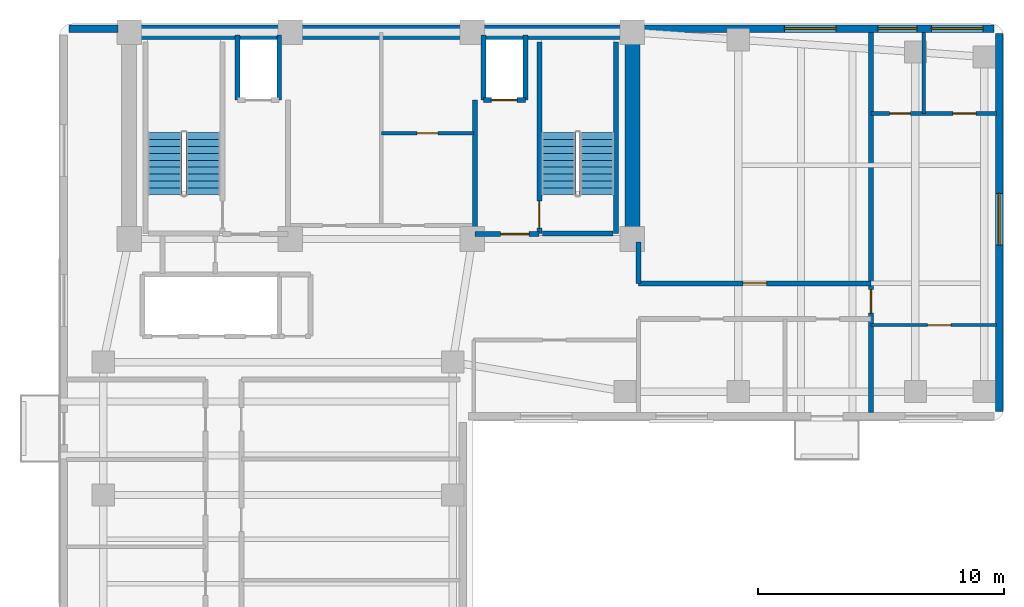
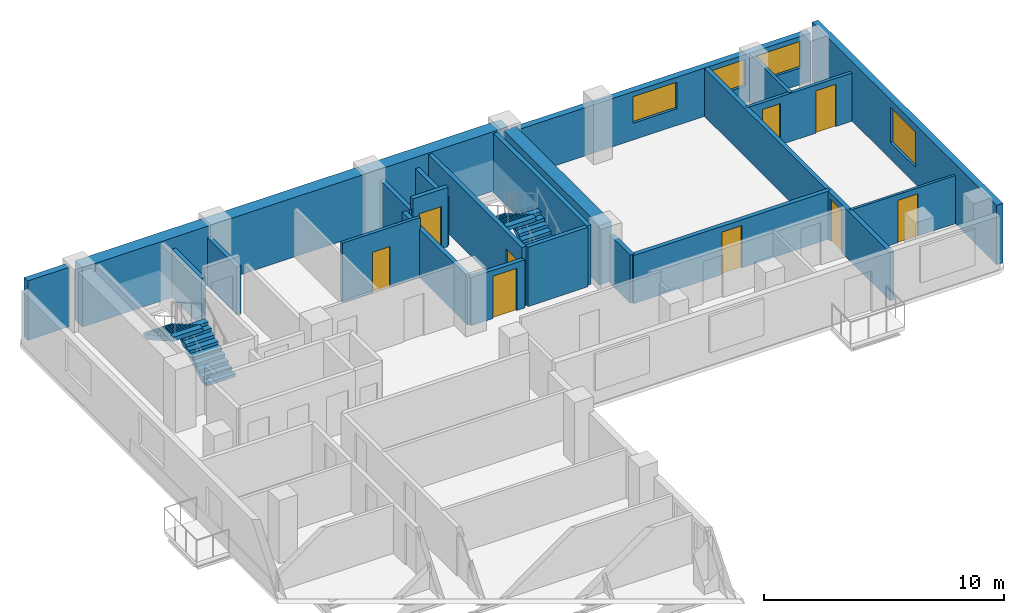
# One storey, part 4 of 6: 22 walls, 9 doors, 4 stair flights, 4 windows, 13 openings, 2 elements without a shape of their own.
"""IFC4 building model written with IfcOpenShell, lengths in metres."""

import ifcopenshell
import ifcopenshell.guid

model = None  # the IFC model being written
_history = None  # IfcOwnerHistory: only IFC2X3 demands one
_inside = {}  # id of a spatial element -> (the spatial element, [elements in it])
_under = {}  # id of a project, library or spatial element -> (it, [spatial elements below it])
_declared = {}  # id of a project -> (the project, [libraries it declares])
_typed = {}  # id of a type object -> (the type object, [elements of that type])
_made_of = {}  # id of a material, layer set ... -> (it, [elements and type objects made of it])


def new_model(schema):
    """Start an empty IFC model of exactly this schema.

    Asked for "IFC4X3", IfcOpenShell would pick the latest addendum, in which some entities
    have other attributes; the version numbers below select the first issue.
    IFC2X3 requires an IfcOwnerHistory on every rooted entity: one is made here for all.
    """
    global model, _history
    if schema == "IFC4X3":
        model = ifcopenshell.file(schema_version=(4, 3, 0, 0))
    else:
        model = ifcopenshell.file(schema=schema)
    _inside.clear()
    _under.clear()
    _declared.clear()
    _typed.clear()
    _made_of.clear()
    _history = None
    if model.schema == "IFC2X3":
        org = make("IfcOrganization", Name="unknown")
        user = make(
            "IfcPersonAndOrganization",
            ThePerson=make("IfcPerson", FamilyName="unknown"),
            TheOrganization=org,
        )
        app = make(
            "IfcApplication",
            ApplicationDeveloper=org,
            Version="unknown",
            ApplicationFullName="unknown",
            ApplicationIdentifier="unknown",
        )
        _history = make(
            "IfcOwnerHistory",
            OwningUser=user,
            OwningApplication=app,
            ChangeAction="ADDED",
            CreationDate=0,
        )
    return model


def make(cls, **values):
    """One entity of the class cls with the attributes given. An attribute that is None is left unset."""
    return model.create_entity(
        cls, **{name: value for name, value in values.items() if value is not None}
    )


def rooted(cls, **values):
    """An entity with a GlobalId (a new one), such as an element, a storey or a relation."""
    return make(cls, GlobalId=ifcopenshell.guid.new(), OwnerHistory=_history, **values)


def si_unit(unit_type, name, prefix=None):
    """IfcSIUnit, for example si_unit("LENGTHUNIT", "METRE", prefix="MILLI")."""
    return make("IfcSIUnit", UnitType=unit_type, Prefix=prefix, Name=name)


def assignment(units):
    """IfcUnitAssignment: the units of a project."""
    return None if units is None else make("IfcUnitAssignment", Units=units)


def point(xyz):
    """IfcCartesianPoint."""
    return None if xyz is None else make("IfcCartesianPoint", Coordinates=xyz)


def direction(xyz):
    """IfcDirection."""
    return None if xyz is None else make("IfcDirection", DirectionRatios=xyz)


def frame(location, z_axis=None, x_axis=None):
    """IfcAxis2Placement3D, a coordinate frame: its origin and axes. An axis left out is left unset."""
    return make(
        "IfcAxis2Placement3D",
        Location=point(location),
        Axis=direction(z_axis),
        RefDirection=direction(x_axis),
    )


def frame_2d(location, x_axis=None):
    """IfcAxis2Placement2D, a coordinate frame in the plane: its origin and x axis."""
    return make(
        "IfcAxis2Placement2D", Location=point(location), RefDirection=direction(x_axis)
    )


def origin():
    """The frame at (0, 0, 0) with its axes left unset."""
    return frame((0.0, 0.0, 0.0))


def place(relative_to, where):
    """IfcLocalPlacement: puts the frame where relative to a parent placement (None: the world)."""
    return make(
        "IfcLocalPlacement", PlacementRelTo=relative_to, RelativePlacement=where
    )


def context(
    kind, dimensions, precision=None, world=None, true_north=None, identifier=None
):
    """IfcGeometricRepresentationContext, for example the 3D "Model" context."""
    return make(
        "IfcGeometricRepresentationContext",
        ContextIdentifier=identifier,
        ContextType=kind,
        CoordinateSpaceDimension=dimensions,
        Precision=precision,
        WorldCoordinateSystem=world,
        TrueNorth=true_north,
    )


def subcontext(parent, identifier, kind, view, scale=None):
    """IfcGeometricRepresentationSubContext, for example "Body" below "Model"."""
    return make(
        "IfcGeometricRepresentationSubContext",
        ContextIdentifier=identifier,
        ContextType=kind,
        ParentContext=parent,
        TargetScale=scale,
        TargetView=view,
    )


def project(units=None, contexts=None):
    """IfcProject with its units and contexts."""
    return rooted(
        "IfcProject",
        Name="project",
        RepresentationContexts=contexts,
        UnitsInContext=assignment(units),
    )


def spatial(cls, under=None, at=None, **own):
    """A site, building, storey or space (cls), placed at a placement, below another one or the project."""
    s = rooted(cls, ObjectPlacement=at, **own)
    if under is not None:
        _under.setdefault(under.id(), (under, []))[1].append(s)
    return s


def polyline(points):
    """IfcPolyline through the points."""
    return make("IfcPolyline", Points=[point(p) for p in points])


def profile(cls, at=None, kind="AREA", **sizes):
    """A parametric profile (cls). Its sizes go by their IFC names, for example OverallWidth=200.0."""
    return make(cls, ProfileType=kind, Position=at, **sizes)


def rectangle(**sizes):
    """IfcRectangleProfileDef."""
    return profile("IfcRectangleProfileDef", **sizes)


def outline(outer, holes=None, kind="AREA"):
    """IfcArbitraryClosedProfileDef: a profile drawn as a closed curve; with holes, ...WithVoids."""
    if holes is None:
        return make("IfcArbitraryClosedProfileDef", ProfileType=kind, OuterCurve=outer)
    return make(
        "IfcArbitraryProfileDefWithVoids",
        ProfileType=kind,
        OuterCurve=outer,
        InnerCurves=holes,
    )


def extrude(swept, where, along, depth):
    """IfcExtrudedAreaSolid: the profile swept, set in the frame where, extruded along a direction by depth."""
    return make(
        "IfcExtrudedAreaSolid",
        SweptArea=swept,
        Position=where,
        ExtrudedDirection=direction(along),
        Depth=depth,
    )


def shape(context_of_items, identifier, shape_type, items):
    """IfcShapeRepresentation: the items that make up one representation, for example the "Body"."""
    return make(
        "IfcShapeRepresentation",
        ContextOfItems=context_of_items,
        RepresentationIdentifier=identifier,
        RepresentationType=shape_type,
        Items=items,
    )


def material(Name=None, Category=None):
    """IfcMaterial."""
    return make("IfcMaterial", Name=Name, Category=Category)


def layer(
    of_material, thickness, ventilated=None, Name=None, Category=None, Priority=None
):
    """IfcMaterialLayer: one layer of a wall or slab, of a material (None: an air gap)."""
    return make(
        "IfcMaterialLayer",
        Material=of_material,
        LayerThickness=thickness,
        IsVentilated=ventilated,
        Name=Name,
        Category=Category,
        Priority=Priority,
    )


def layer_set(layers, Name=None):
    """IfcMaterialLayerSet."""
    return make("IfcMaterialLayerSet", MaterialLayers=layers, LayerSetName=Name)


def made_of(thing, what):
    """Note that an element or type object is made of a material, layer set ...; save() writes the relation."""
    if what is not None:
        _made_of.setdefault(what.id(), (what, []))[1].append(thing)
    return thing


def type_object(cls, material=None, **own):
    """A type object (cls), such as IfcWallType, which elements share."""
    return made_of(rooted(cls, **own), material)


def element(
    cls,
    number,
    at=None,
    inside=None,
    cuts=None,
    type_object=None,
    material=None,
    context=None,
    identifier="Body",
    shape_type=None,
    held_by="IfcProductDefinitionShape",
    body=None,
    shapes=None,
    **own,
):
    """One element of the class cls, such as IfcWall. Its Tag is "e" and its number.

    at: its placement. inside: the storey or other place that contains it. cuts: it is an
    opening in that element (IfcRelVoidsElement). A single representation is given by context,
    identifier, shape_type and body (its items); several are given by shapes. held_by: the class
    of the entity that holds the representations. save() writes the other relations.
    """
    e = rooted(cls, Tag="e%d" % number, ObjectPlacement=at, **own)
    if body is not None:
        shapes = [shape(context, identifier, shape_type, body)]
    if shapes is not None:
        e.Representation = make(held_by, Representations=shapes)
    if inside is not None:
        _inside.setdefault(inside.id(), (inside, []))[1].append(e)
    if cuts is not None:
        rooted(
            "IfcRelVoidsElement", RelatingBuildingElement=cuts, RelatedOpeningElement=e
        )
    if type_object is not None:
        _typed.setdefault(type_object.id(), (type_object, []))[1].append(e)
    return made_of(e, material)


def fill(opening, filler):
    """IfcRelFillsElement: the door or window that sits in an opening."""
    return rooted(
        "IfcRelFillsElement",
        RelatingOpeningElement=opening,
        RelatedBuildingElement=filler,
    )


def aggregate(whole, parts):
    """IfcRelAggregates: a whole, such as a stair, and the parts it consists of."""
    return rooted("IfcRelAggregates", RelatingObject=whole, RelatedObjects=parts)


def save(model, path):
    """Write the relations noted so far, then the file.

    IfcRelAggregates (storeys below a building ...), IfcRelContainedInSpatialStructure (elements
    in a storey), IfcRelDefinesByType, IfcRelAssociatesMaterial and IfcRelDeclares: one each for
    every whole, place, type object, material and project.
    """
    for whole, parts in _under.values():
        aggregate(whole, parts)
    for where, things in _inside.values():
        rooted(
            "IfcRelContainedInSpatialStructure",
            RelatedElements=things,
            RelatingStructure=where,
        )
    for kind, things in _typed.values():
        rooted("IfcRelDefinesByType", RelatedObjects=things, RelatingType=kind)
    for what, things in _made_of.values():
        rooted("IfcRelAssociatesMaterial", RelatedObjects=things, RelatingMaterial=what)
    for by, libraries in _declared.values():
        rooted("IfcRelDeclares", RelatingContext=by, RelatedDefinitions=libraries)
    model.write(path)


model = new_model("IFC4")

# Units and contexts
model_context = context("Model", 3, precision=1e-05, world=origin(), true_north=direction((0.0, 1.0)))
body_context = subcontext(model_context, "Body", "Model", "MODEL_VIEW")
ifc_project = project(units=[si_unit("LENGTHUNIT", "METRE"), si_unit("AREAUNIT", "SQUARE_METRE"), si_unit("VOLUMEUNIT", "CUBIC_METRE"), si_unit("PLANEANGLEUNIT", "RADIAN"), si_unit("MASSUNIT", "GRAM", prefix="KILO")], contexts=[model_context])

# Site, building, storey
site_placement = place(None, origin())
site = spatial("IfcSite", under=ifc_project, at=site_placement, CompositionType="ELEMENT")
building_placement = place(site_placement, origin())
building = spatial("IfcBuilding", under=site, at=building_placement, Name="Kuzgunbayir Cultural Tower", CompositionType="ELEMENT")
storey_placement = place(building_placement, frame((0.0, 0.0, 169.60009765625)))
storey = spatial("IfcBuildingStorey", under=building, at=storey_placement, Name="L49", CompositionType="ELEMENT", Elevation=169.60009765625)

# Walls
ifc_material_1 = material(Name="Concrete C60/75", Category="concrete")
ifc_layer_1 = layer(ifc_material_1, 0.60009765625)
ifc_layer_set_1 = layer_set([ifc_layer_1], Name="Concrete C60/75")
wall_type_1 = type_object("IfcWallType", Name="WAL-CORE-600", PredefinedType="SHEAR", material=ifc_layer_set_1)
wall_1_placement = place(storey_placement, frame((6.449951171875, 42.199951171875, 0.0), z_axis=(0.0, 0.0, 1.0), x_axis=(1.0, 0.0, 0.0)))
element("IfcWall", 1, at=wall_1_placement, inside=storey, type_object=wall_type_1, Name="L49 T1 Core North Shear Wall", PredefinedType="SHEAR", context=body_context, shape_type="SweptSolid", body=[
    extrude(rectangle(XDim=20.449951171875, YDim=0.60009765625, at=frame_2d((10.22509765625, 0.0))), origin(), (0.0, 0.0, 1.0), 3.02001953125),
])
wall_2_placement = place(storey_placement, frame((26.89990234375, 33.800048828125, 0.0), z_axis=(0.0, 0.0, 1.0), x_axis=(0.0, 1.0, 0.0)))
element("IfcWall", 2, at=wall_2_placement, inside=storey, type_object=wall_type_1, Name="L49 T1 Core East Shear Wall", PredefinedType="SHEAR", context=body_context, shape_type="SweptSolid", body=[
    extrude(rectangle(XDim=7.949951171875, YDim=0.60009765625, at=frame_2d((3.97509765625, 0.0))), origin(), (0.0, 0.0, 1.0), 3.02001953125),
])

# Wall, openings, windows
ifc_material_2 = material(Name="Anatolian Cream Limestone", Category="masonry")
ifc_layer_2 = layer(ifc_material_2, 0.300048828125)
ifc_layer_set_2 = layer_set([ifc_layer_2], Name="Anatolian Cream Limestone")
wall_type_2 = type_object("IfcWallType", Name="WAL-EXT-STONE-300", PredefinedType="STANDARD", material=ifc_layer_set_2)
wall_3_placement = place(storey_placement, frame((41.60009765625, 42.35009765625, 0.0), z_axis=(0.0, 0.0, 1.0), x_axis=(-1.0, 0.0, 0.0)))
wall_3 = element("IfcWall", 3, at=wall_3_placement, inside=storey, type_object=wall_type_2, Name="L49 North Wing B Limestone Wall", PredefinedType="STANDARD", context=body_context, shape_type="SweptSolid", body=[
    extrude(rectangle(XDim=14.25, YDim=0.300048828125, at=frame_2d((7.125, 0.0))), origin(), (0.0, 0.0, 1.0), 2.449951171875),
])
opening_1_placement = place(wall_3_placement, frame((3.1298828125, 0.0, 0.85009765625)))
opening_1 = element("IfcOpeningElement", 4, at=opening_1_placement, cuts=wall_3, Name="Opening WC-16", PredefinedType="OPENING", context=body_context, shape_type="SweptSolid", body=[
    extrude(rectangle(XDim=1.60009765625, YDim=1.35009765625, at=frame_2d((0.800048828125, 0.675048828125))), frame((0.0, 0.16015625, 0.0), z_axis=(0.0, -1.0, 0.0), x_axis=(1.0, 0.0, 0.0)), (0.0, 0.0, 1.0), 0.320068359375),
])
opening_2_placement = place(wall_3_placement, frame((0.449951171875, 0.0, 0.85009765625)))
opening_2 = element("IfcOpeningElement", 5, at=opening_2_placement, cuts=wall_3, Name="Opening WR-21", PredefinedType="OPENING", context=body_context, shape_type="SweptSolid", body=[
    extrude(rectangle(XDim=2.10009765625, YDim=1.35009765625, at=frame_2d((1.050048828125, 0.675048828125))), frame((0.0, 0.16015625, 0.0), z_axis=(0.0, -1.0, 0.0), x_axis=(1.0, 0.0, 0.0)), (0.0, 0.0, 1.0), 0.320068359375),
])
opening_3_placement = place(wall_3_placement, frame((6.419921875, 0.0, 0.85009765625)))
opening_3 = element("IfcOpeningElement", 6, at=opening_3_placement, cuts=wall_3, Name="Opening WR-21", PredefinedType="OPENING", context=body_context, shape_type="SweptSolid", body=[
    extrude(rectangle(XDim=2.10009765625, YDim=1.35009765625, at=frame_2d((1.050048828125, 0.675048828125))), frame((0.0, 0.16015625, 0.0), z_axis=(0.0, -1.0, 0.0), x_axis=(1.0, 0.0, 0.0)), (0.0, 0.0, 1.0), 0.320068359375),
])
ifc_material_3 = material(Name="Solar-Control Triple Glazing", Category="glass")
window_type_1 = type_object("IfcWindowType", Name="WIN-COMP-16", PartitioningType="SINGLE_PANEL", PredefinedType="WINDOW", material=ifc_material_3)
window_1_placement = place(opening_1_placement, origin())
window_1 = element("IfcWindow", 7, at=window_1_placement, inside=storey, type_object=window_type_1, Name="L49 CRN Facade Window 7", OverallHeight=1.35009765625, OverallWidth=1.60009765625, PartitioningType="SINGLE_PANEL", PredefinedType="WINDOW", context=body_context, shape_type="SweptSolid", body=[
    extrude(rectangle(XDim=1.60009765625, YDim=1.35009765625, at=frame_2d((0.800048828125, 0.675048828125))), frame((0.0, 0.030029296875, 0.0), z_axis=(0.0, -1.0, 0.0), x_axis=(1.0, 0.0, 0.0)), (0.0, 0.0, 1.0), 0.06005859375),
])
fill(opening_1, window_1)
window_type_2 = type_object("IfcWindowType", Name="WIN-RESID-21", PartitioningType="SINGLE_PANEL", PredefinedType="WINDOW", material=ifc_material_3)
window_2_placement = place(opening_2_placement, origin())
window_2 = element("IfcWindow", 8, at=window_2_placement, inside=storey, type_object=window_type_2, Name="L49 CRN Facade Window 8", OverallHeight=1.35009765625, OverallWidth=2.10009765625, PartitioningType="SINGLE_PANEL", PredefinedType="WINDOW", context=body_context, shape_type="SweptSolid", body=[
    extrude(rectangle(XDim=2.10009765625, YDim=1.35009765625, at=frame_2d((1.050048828125, 0.675048828125))), frame((0.0, 0.030029296875, 0.0), z_axis=(0.0, -1.0, 0.0), x_axis=(1.0, 0.0, 0.0)), (0.0, 0.0, 1.0), 0.06005859375),
])
fill(opening_2, window_2)
window_3_placement = place(opening_3_placement, origin())
window_3 = element("IfcWindow", 9, at=window_3_placement, inside=storey, type_object=window_type_2, Name="L49 CRN Facade Window 9", OverallHeight=1.35009765625, OverallWidth=2.10009765625, PartitioningType="SINGLE_PANEL", PredefinedType="WINDOW", context=body_context, shape_type="SweptSolid", body=[
    extrude(rectangle(XDim=2.10009765625, YDim=1.35009765625, at=frame_2d((1.050048828125, 0.675048828125))), frame((0.0, 0.030029296875, 0.0), z_axis=(0.0, -1.0, 0.0), x_axis=(1.0, 0.0, 0.0)), (0.0, 0.0, 1.0), 0.06005859375),
])
fill(opening_3, window_3)

# Wall
wall_4_placement = place(storey_placement, frame((6.0, 42.35009765625, 0.0), z_axis=(0.0, 0.0, 1.0), x_axis=(-1.0, 0.0, 0.0)))
element("IfcWall", 10, at=wall_4_placement, inside=storey, type_object=wall_type_2, Name="L49 Core North-West Spandrel Link", PredefinedType="STANDARD", context=body_context, shape_type="SweptSolid", body=[
    extrude(rectangle(XDim=2.0, YDim=0.300048828125, at=frame_2d((1.0, 0.0))), origin(), (0.0, 0.0, 1.0), 3.02001953125),
])

# Wall, opening, window
wall_5_placement = place(storey_placement, frame((41.800048828125, 26.800048828125, 0.0), z_axis=(0.0, 0.0, 1.0), x_axis=(0.0, 1.0, 0.0)))
wall_5 = element("IfcWall", 11, at=wall_5_placement, inside=storey, type_object=wall_type_2, Name="L49 Wing B East Limestone Wall", PredefinedType="STANDARD", context=body_context, shape_type="SweptSolid", body=[
    extrude(rectangle(XDim=15.349853515625, YDim=0.300048828125, at=frame_2d((7.6748046875, 0.0))), origin(), (0.0, 0.0, 1.0), 3.02001953125),
])
opening_4_placement = place(wall_5_placement, frame((6.75, 0.0, 0.85009765625)))
opening_4 = element("IfcOpeningElement", 12, at=opening_4_placement, cuts=wall_5, Name="Opening WR-21", PredefinedType="OPENING", context=body_context, shape_type="SweptSolid", body=[
    extrude(rectangle(XDim=2.10009765625, YDim=1.800048828125, at=frame_2d((1.050048828125, 0.89990234375))), frame((0.0, 0.16015625, 0.0), z_axis=(0.0, -1.0, 0.0), x_axis=(1.0, 0.0, 0.0)), (0.0, 0.0, 1.0), 0.320068359375),
])
window_4_placement = place(opening_4_placement, origin())
window_4 = element("IfcWindow", 13, at=window_4_placement, inside=storey, type_object=window_type_2, Name="L49 WBE Facade Window 5", OverallHeight=1.800048828125, OverallWidth=2.10009765625, PartitioningType="SINGLE_PANEL", PredefinedType="WINDOW", context=body_context, shape_type="SweptSolid", body=[
    extrude(rectangle(XDim=2.10009765625, YDim=1.800048828125, at=frame_2d((1.050048828125, 0.89990234375))), frame((0.0, 0.030029296875, 0.0), z_axis=(0.0, -1.0, 0.0), x_axis=(1.0, 0.0, 0.0)), (0.0, 0.0, 1.0), 0.06005859375),
])
fill(opening_4, window_4)

# Wall, opening, door
ifc_material_4 = material(Name="Acoustic Double-Stud Drywall", Category="gypsum")
ifc_layer_3 = layer(ifc_material_4, 0.14990234375)
ifc_layer_set_3 = layer_set([ifc_layer_3], Name="Acoustic Double-Stud Drywall")
wall_type_3 = type_object("IfcWallType", Name="WAL-PART-ACOUSTIC-150", PredefinedType="PARTITIONING", material=ifc_layer_set_3)
wall_6_placement = place(storey_placement, frame((16.699951171875, 38.10009765625, 0.0), z_axis=(0.0, 0.0, 1.0), x_axis=(1.0, 0.0, 0.0)))
wall_6 = element("IfcWall", 14, at=wall_6_placement, inside=storey, type_object=wall_type_3, Name="L49 Sky Core Store Divider", PredefinedType="PARTITIONING", context=body_context, shape_type="SweptSolid", body=[
    extrude(rectangle(XDim=3.75, YDim=0.14990234375, at=frame_2d((1.875, 0.0))), origin(), (0.0, 0.0, 1.0), 3.02001953125),
])
opening_5_placement = place(wall_6_placement, frame((1.449951171875, 0.0, 0.0)))
opening_5 = element("IfcOpeningElement", 15, at=opening_5_placement, cuts=wall_6, Name="Opening DC-85", PredefinedType="OPENING", context=body_context, shape_type="SweptSolid", body=[
    extrude(rectangle(XDim=0.85009765625, YDim=2.050048828125, at=frame_2d((0.425048828125, 1.02490234375))), frame((0.0, 0.0849609375, 0.0), z_axis=(0.0, -1.0, 0.0), x_axis=(1.0, 0.0, 0.0)), (0.0, 0.0, 1.0), 0.169921875),
])
ifc_material_5 = material(Name="Fire-Rated Veneered Oak Leaf", Category="wood")
door_type_1 = type_object("IfcDoorType", Name="DR-CORE-85", OperationType="NOTDEFINED", PredefinedType="DOOR", material=ifc_material_5)
door_1_placement = place(opening_5_placement, origin())
door_1 = element("IfcDoor", 16, at=door_1_placement, inside=storey, type_object=door_type_1, Name="L49 Core Electrical Store Door", OperationType="SINGLE_SWING_LEFT", OverallHeight=2.050048828125, OverallWidth=0.85009765625, PredefinedType="DOOR", context=body_context, shape_type="SweptSolid", body=[
    extrude(rectangle(XDim=0.85009765625, YDim=2.050048828125, at=frame_2d((0.425048828125, 1.02490234375))), frame((0.0, 0.02490234375, 0.0), z_axis=(0.0, -1.0, 0.0), x_axis=(1.0, 0.0, 0.0)), (0.0, 0.0, 1.0), 0.050048828125),
])
fill(opening_5, door_1)

# Wall
ifc_material_6 = material(Name="Aerated Concrete Blockwork", Category="masonry")
ifc_layer_4 = layer(ifc_material_6, 0.199951171875)
ifc_layer_set_4 = layer_set([ifc_layer_4], Name="Aerated Concrete Blockwork")
wall_type_4 = type_object("IfcWallType", Name="WAL-PART-FIRE-200", PredefinedType="PARTITIONING", material=ifc_layer_set_4)
wall_7_placement = place(storey_placement, frame((20.5, 34.0, 0.0), z_axis=(0.0, 0.0, 1.0), x_axis=(0.0, 1.0, 0.0)))
element("IfcWall", 17, at=wall_7_placement, inside=storey, type_object=wall_type_4, Name="L49 FFL-2 Lobby West Fire Wall", PredefinedType="PARTITIONING", context=body_context, shape_type="SweptSolid", body=[
    extrude(rectangle(XDim=5.449951171875, YDim=0.199951171875, at=frame_2d((2.72509765625, 0.0))), origin(), (0.0, 0.0, 1.0), 2.449951171875),
])

# Wall, opening, door
wall_8_placement = place(storey_placement, frame((20.5, 34.0, 0.0), z_axis=(0.0, 0.0, 1.0), x_axis=(1.0, 0.0, 0.0)))
wall_8 = element("IfcWall", 18, at=wall_8_placement, inside=storey, type_object=wall_type_4, Name="L49 FFL-2 Lobby South Fire Wall", PredefinedType="PARTITIONING", context=body_context, shape_type="SweptSolid", body=[
    extrude(rectangle(XDim=2.60009765625, YDim=0.199951171875, at=frame_2d((1.300048828125, 0.0))), origin(), (0.0, 0.0, 1.0), 2.449951171875),
])
opening_6_placement = place(wall_8_placement, frame((1.050048828125, 0.0, 0.0)))
opening_6 = element("IfcOpeningElement", 19, at=opening_6_placement, cuts=wall_8, Name="Opening DR-FFL-90", PredefinedType="OPENING", context=body_context, shape_type="SweptSolid", body=[
    extrude(rectangle(XDim=1.14990234375, YDim=2.14990234375, at=frame_2d((0.574951171875, 1.074951171875))), frame((0.0, 0.10986328125, 0.0), z_axis=(0.0, -1.0, 0.0), x_axis=(1.0, 0.0, 0.0)), (0.0, 0.0, 1.0), 0.219970703125),
])
ifc_material_7 = material(Name="Steel S355J2", Category="steel")
door_type_2 = type_object("IfcDoorType", Name="DR-FFL-90", OperationType="NOTDEFINED", PredefinedType="DOOR", material=ifc_material_7)
door_2_placement = place(opening_6_placement, origin())
door_2 = element("IfcDoor", 20, at=door_2_placement, inside=storey, type_object=door_type_2, Name="L49 Firefighting Lobby 2 Door", OperationType="SINGLE_SWING_RIGHT", OverallHeight=2.14990234375, OverallWidth=1.14990234375, PredefinedType="DOOR", context=body_context, shape_type="SweptSolid", body=[
    extrude(rectangle(XDim=1.14990234375, YDim=2.14990234375, at=frame_2d((0.574951171875, 1.074951171875))), frame((0.0, 0.02490234375, 0.0), z_axis=(0.0, -1.0, 0.0), x_axis=(1.0, 0.0, 0.0)), (0.0, 0.0, 1.0), 0.050048828125),
])
fill(opening_6, door_2)

wall_9_placement = place(storey_placement, frame((27.14990234375, 32.0, 0.0), z_axis=(0.0, 0.0, 1.0), x_axis=(1.0, 0.0, 0.0)))
wall_9 = element("IfcWall", 21, at=wall_9_placement, inside=storey, type_object=wall_type_4, Name="L49 Wing B Residence Corridor North Wall", PredefinedType="PARTITIONING", context=body_context, shape_type="SweptSolid", body=[
    extrude(rectangle(XDim=9.4501953125, YDim=0.199951171875, at=frame_2d((4.72509765625, 0.0))), origin(), (0.0, 0.0, 1.0), 2.449951171875),
])
opening_7_placement = place(wall_9_placement, frame((4.25, 0.0, 0.0)))
opening_7 = element("IfcOpeningElement", 22, at=opening_7_placement, cuts=wall_9, Name="Opening DI-90", PredefinedType="OPENING", context=body_context, shape_type="SweptSolid", body=[
    extrude(rectangle(XDim=0.949951171875, YDim=2.14990234375, at=frame_2d((0.47509765625, 1.074951171875))), frame((0.0, 0.10986328125, 0.0), z_axis=(0.0, -1.0, 0.0), x_axis=(1.0, 0.0, 0.0)), (0.0, 0.0, 1.0), 0.219970703125),
])
ifc_material_8 = material(Name="Veneered Oak Single Leaf", Category="wood")
door_type_3 = type_object("IfcDoorType", Name="DR-INT-90", OperationType="NOTDEFINED", PredefinedType="DOOR", material=ifc_material_8)
door_3_placement = place(opening_7_placement, origin())
door_3 = element("IfcDoor", 23, at=door_3_placement, inside=storey, type_object=door_type_3, Name="L49 Residents Wellness Consultation Studio 1 Door", OperationType="SINGLE_SWING_LEFT", OverallHeight=2.14990234375, OverallWidth=0.949951171875, PredefinedType="DOOR", context=body_context, shape_type="SweptSolid", body=[
    extrude(rectangle(XDim=0.949951171875, YDim=2.14990234375, at=frame_2d((0.47509765625, 1.074951171875))), frame((0.0, 0.02490234375, 0.0), z_axis=(0.0, -1.0, 0.0), x_axis=(1.0, 0.0, 0.0)), (0.0, 0.0, 1.0), 0.050048828125),
])
fill(opening_7, door_3)

# Wall
wall_10_placement = place(storey_placement, frame((27.14990234375, 32.0, 0.0), z_axis=(0.0, 0.0, 1.0), x_axis=(0.0, 1.0, 0.0)))
element("IfcWall", 24, at=wall_10_placement, inside=storey, type_object=wall_type_4, Name="L49 Wing B Residence North Core Closure Wall", PredefinedType="PARTITIONING", context=body_context, shape_type="SweptSolid", body=[
    extrude(rectangle(XDim=1.679931640625, YDim=0.199951171875, at=frame_2d((0.83984375, 0.0))), origin(), (0.0, 0.0, 1.0), 2.449951171875),
])

# Wall, opening, door
wall_11_placement = place(storey_placement, frame((36.60009765625, 26.75, 0.0), z_axis=(0.0, 0.0, 1.0), x_axis=(0.0, 1.0, 0.0)))
wall_11 = element("IfcWall", 25, at=wall_11_placement, inside=storey, type_object=wall_type_4, Name="L49 Apartment D Party Wall", PredefinedType="PARTITIONING", context=body_context, shape_type="SweptSolid", body=[
    extrude(rectangle(XDim=15.449951171875, YDim=0.199951171875, at=frame_2d((7.72509765625, 0.0))), origin(), (0.0, 0.0, 1.0), 2.449951171875),
])
opening_8_placement = place(wall_11_placement, frame((4.0400390625, 0.0, 0.0)))
opening_8 = element("IfcOpeningElement", 26, at=opening_8_placement, cuts=wall_11, Name="Opening DR-APT-60", PredefinedType="OPENING", context=body_context, shape_type="SweptSolid", body=[
    extrude(rectangle(XDim=0.949951171875, YDim=2.14990234375, at=frame_2d((0.47509765625, 1.074951171875))), frame((0.0, 0.10986328125, 0.0), z_axis=(0.0, -1.0, 0.0), x_axis=(1.0, 0.0, 0.0)), (0.0, 0.0, 1.0), 0.219970703125),
])
ifc_material_9 = material(Name="Acoustic Fire Timber Leaf", Category="wood")
door_type_4 = type_object("IfcDoorType", Name="DR-APT-60", OperationType="NOTDEFINED", PredefinedType="DOOR", material=ifc_material_9)
door_4_placement = place(opening_8_placement, origin())
door_4 = element("IfcDoor", 27, at=door_4_placement, inside=storey, type_object=door_type_4, Name="L49 Apartment D Entrance", OperationType="SINGLE_SWING_LEFT", OverallHeight=2.14990234375, OverallWidth=0.949951171875, PredefinedType="DOOR", context=body_context, shape_type="SweptSolid", body=[
    extrude(rectangle(XDim=0.949951171875, YDim=2.14990234375, at=frame_2d((0.47509765625, 1.074951171875))), frame((0.0, 0.02490234375, 0.0), z_axis=(0.0, -1.0, 0.0), x_axis=(1.0, 0.0, 0.0)), (0.0, 0.0, 1.0), 0.050048828125),
])
fill(opening_8, door_4)

ifc_material_10 = material(Name="Framed Gypsum Partition", Category="gypsum")
ifc_layer_5 = layer(ifc_material_10, 0.1201171875)
ifc_layer_set_5 = layer_set([ifc_layer_5], Name="Framed Gypsum Partition")
wall_type_5 = type_object("IfcWallType", Name="WAL-PART-INT-120", PredefinedType="PARTITIONING", material=ifc_layer_set_5)
wall_12_placement = place(storey_placement, frame((36.60009765625, 30.300048828125, 0.0), z_axis=(0.0, 0.0, 1.0), x_axis=(1.0, 0.0, 0.0)))
wall_12 = element("IfcWall", 28, at=wall_12_placement, inside=storey, type_object=wall_type_5, Name="L49 Flat D Bedroom Wall", PredefinedType="PARTITIONING", context=body_context, shape_type="SweptSolid", body=[
    extrude(rectangle(XDim=5.099853515625, YDim=0.1201171875, at=frame_2d((2.5498046875, 0.0))), origin(), (0.0, 0.0, 1.0), 2.449951171875),
])
opening_9_placement = place(wall_12_placement, frame((2.300048828125, 0.0, 0.0)))
opening_9 = element("IfcOpeningElement", 29, at=opening_9_placement, cuts=wall_12, Name="Opening DI-90", PredefinedType="OPENING", context=body_context, shape_type="SweptSolid", body=[
    extrude(rectangle(XDim=0.949951171875, YDim=2.14990234375, at=frame_2d((0.47509765625, 1.074951171875))), frame((0.0, 0.070068359375, 0.0), z_axis=(0.0, -1.0, 0.0), x_axis=(1.0, 0.0, 0.0)), (0.0, 0.0, 1.0), 0.14013671875),
])
door_5_placement = place(opening_9_placement, origin())
door_5 = element("IfcDoor", 30, at=door_5_placement, inside=storey, type_object=door_type_3, Name="L49 Apartment D Bedroom Door", OperationType="SINGLE_SWING_RIGHT", OverallHeight=2.14990234375, OverallWidth=0.949951171875, PredefinedType="DOOR", context=body_context, shape_type="SweptSolid", body=[
    extrude(rectangle(XDim=0.949951171875, YDim=2.14990234375, at=frame_2d((0.47509765625, 1.074951171875))), frame((0.0, 0.02490234375, 0.0), z_axis=(0.0, -1.0, 0.0), x_axis=(1.0, 0.0, 0.0)), (0.0, 0.0, 1.0), 0.050048828125),
])
fill(opening_9, door_5)

# Wall, openings, doors
ifc_material_11 = material(Name="Moisture-Resistant Tile Partition", Category="gypsum")
ifc_layer_6 = layer(ifc_material_11, 0.14990234375)
ifc_layer_set_6 = layer_set([ifc_layer_6], Name="Moisture-Resistant Tile Partition")
wall_type_6 = type_object("IfcWallType", Name="WAL-PART-WET-150", PredefinedType="PARTITIONING", material=ifc_layer_set_6)
wall_13_placement = place(storey_placement, frame((36.60009765625, 38.89990234375, 0.0), z_axis=(0.0, 0.0, 1.0), x_axis=(1.0, 0.0, 0.0)))
wall_13 = element("IfcWall", 31, at=wall_13_placement, inside=storey, type_object=wall_type_6, Name="L49 Flat D Service Wall", PredefinedType="PARTITIONING", context=body_context, shape_type="SweptSolid", body=[
    extrude(rectangle(XDim=5.099853515625, YDim=0.14990234375, at=frame_2d((2.5498046875, 0.0))), origin(), (0.0, 0.0, 1.0), 2.449951171875),
])
opening_10_placement = place(wall_13_placement, frame((0.75, 0.0, 0.0)))
opening_10 = element("IfcOpeningElement", 32, at=opening_10_placement, cuts=wall_13, Name="Opening DW-85", PredefinedType="OPENING", context=body_context, shape_type="SweptSolid", body=[
    extrude(rectangle(XDim=0.85009765625, YDim=2.10009765625, at=frame_2d((0.425048828125, 1.050048828125))), frame((0.0, 0.0849609375, 0.0), z_axis=(0.0, -1.0, 0.0), x_axis=(1.0, 0.0, 0.0)), (0.0, 0.0, 1.0), 0.169921875),
])
opening_11_placement = place(wall_13_placement, frame((3.320068359375, 0.0, 0.0)))
opening_11 = element("IfcOpeningElement", 33, at=opening_11_placement, cuts=wall_13, Name="Opening DI-90", PredefinedType="OPENING", context=body_context, shape_type="SweptSolid", body=[
    extrude(rectangle(XDim=0.949951171875, YDim=2.14990234375, at=frame_2d((0.47509765625, 1.074951171875))), frame((0.0, 0.0849609375, 0.0), z_axis=(0.0, -1.0, 0.0), x_axis=(1.0, 0.0, 0.0)), (0.0, 0.0, 1.0), 0.169921875),
])
door_6_placement = place(opening_11_placement, origin())
door_6 = element("IfcDoor", 34, at=door_6_placement, inside=storey, type_object=door_type_3, Name="L49 Apartment D Kitchen Door", OperationType="SINGLE_SWING_RIGHT", OverallHeight=2.14990234375, OverallWidth=0.949951171875, PredefinedType="DOOR", context=body_context, shape_type="SweptSolid", body=[
    extrude(rectangle(XDim=0.949951171875, YDim=2.14990234375, at=frame_2d((0.47509765625, 1.074951171875))), frame((0.0, 0.02490234375, 0.0), z_axis=(0.0, -1.0, 0.0), x_axis=(1.0, 0.0, 0.0)), (0.0, 0.0, 1.0), 0.050048828125),
])
fill(opening_11, door_6)
ifc_material_12 = material(Name="Laminate Moisture-Resistant Leaf", Category="wood")
door_type_5 = type_object("IfcDoorType", Name="DR-WET-85", OperationType="NOTDEFINED", PredefinedType="DOOR", material=ifc_material_12)
door_7_placement = place(opening_10_placement, origin())
door_7 = element("IfcDoor", 35, at=door_7_placement, inside=storey, type_object=door_type_5, Name="L49 Apartment D Bathroom Door", OperationType="SINGLE_SWING_LEFT", OverallHeight=2.10009765625, OverallWidth=0.85009765625, PredefinedType="DOOR", context=body_context, shape_type="SweptSolid", body=[
    extrude(rectangle(XDim=0.85009765625, YDim=2.10009765625, at=frame_2d((0.425048828125, 1.050048828125))), frame((0.0, 0.02490234375, 0.0), z_axis=(0.0, -1.0, 0.0), x_axis=(1.0, 0.0, 0.0)), (0.0, 0.0, 1.0), 0.050048828125),
])
fill(opening_10, door_7)

# Wall
wall_14_placement = place(storey_placement, frame((38.739990234375, 38.89990234375, 0.0), z_axis=(0.0, 0.0, 1.0), x_axis=(0.0, 1.0, 0.0)))
element("IfcWall", 36, at=wall_14_placement, inside=storey, type_object=wall_type_6, Name="L49 Flat D Bath Divider", PredefinedType="PARTITIONING", context=body_context, shape_type="SweptSolid", body=[
    extrude(rectangle(XDim=3.300048828125, YDim=0.14990234375, at=frame_2d((1.64990234375, 0.0))), origin(), (0.0, 0.0, 1.0), 2.449951171875),
])

# Wall, opening, door
ifc_material_13 = material(Name="Concrete C40/50", Category="concrete")
ifc_layer_7 = layer(ifc_material_13, 0.199951171875)
ifc_layer_set_7 = layer_set([ifc_layer_7], Name="Concrete C40/50")
wall_type_7 = type_object("IfcWallType", Name="WAL-SHAFT-200", PredefinedType="MOVABLE", material=ifc_layer_set_7)
wall_15_placement = place(storey_placement, frame((20.85009765625, 39.449951171875, 0.0), z_axis=(0.0, 0.0, 1.0), x_axis=(1.0, 0.0, 0.0)))
wall_15 = element("IfcWall", 37, at=wall_15_placement, inside=storey, type_object=wall_type_7, Name="L49 FFL-2 Lift Front Wall", PredefinedType="MOVABLE", context=body_context, shape_type="SweptSolid", body=[
    extrude(rectangle(XDim=1.699951171875, YDim=0.199951171875, at=frame_2d((0.85009765625, 0.0))), origin(), (0.0, 0.0, 1.0), 3.02001953125),
])
opening_12_placement = place(wall_15_placement, frame((0.320068359375, 0.0, 0.0)))
opening_12 = element("IfcOpeningElement", 38, at=opening_12_placement, cuts=wall_15, Name="Opening LD", PredefinedType="OPENING", context=body_context, shape_type="SweptSolid", body=[
    extrude(rectangle(XDim=1.050048828125, YDim=2.14990234375, at=frame_2d((0.52490234375, 1.074951171875))), frame((0.0, 0.10986328125, 0.0), z_axis=(0.0, -1.0, 0.0), x_axis=(1.0, 0.0, 0.0)), (0.0, 0.0, 1.0), 0.219970703125),
])
ifc_material_14 = material(Name="Brushed Stainless Steel", Category="steel")
door_type_6 = type_object("IfcDoorType", Name="DR-LIFT-LANDING", OperationType="SLIDING_TO_LEFT", PredefinedType="DOOR", material=ifc_material_14)
door_8_placement = place(opening_12_placement, origin())
door_8 = element("IfcDoor", 39, at=door_8_placement, inside=storey, type_object=door_type_6, Name="L49 Lift FFL-2 Landing Door", OperationType="SLIDING_TO_LEFT", OverallHeight=2.14990234375, OverallWidth=1.050048828125, PredefinedType="DOOR", context=body_context, shape_type="SweptSolid", body=[
    extrude(rectangle(XDim=1.050048828125, YDim=2.14990234375, at=frame_2d((0.52490234375, 1.074951171875))), frame((0.0, 0.02490234375, 0.0), z_axis=(0.0, -1.0, 0.0), x_axis=(1.0, 0.0, 0.0)), (0.0, 0.0, 1.0), 0.050048828125),
])
fill(opening_12, door_8)

# Walls
for number, where, z_axis, x_axis, name in (
    (40, (10.85009765625, 39.449951171875, 0.0), (0.0, 0.0, 1.0), (0.0, 1.0, 0.0), "L49 FFL-1 Shaft West Wall"),
    (41, (12.550048828125, 39.449951171875, 0.0), (0.0, 0.0, 1.0), (0.0, 1.0, 0.0), "L49 FFL-1 Shaft East Wall"),
    (42, (20.85009765625, 39.449951171875, 0.0), (0.0, 0.0, 1.0), (0.0, 1.0, 0.0), "L49 FFL-2 Shaft West Wall"),
    (43, (22.550048828125, 39.449951171875, 0.0), (0.0, 0.0, 1.0), (0.0, 1.0, 0.0), "L49 FFL-2 Shaft East Wall"),
):
    element("IfcWall", number, at=place(storey_placement, frame(where, z_axis=z_axis, x_axis=x_axis)), inside=storey, type_object=wall_type_7, Name=name, PredefinedType="MOVABLE", context=body_context, shape_type="SweptSolid", body=[
        extrude(rectangle(XDim=2.650146484375, YDim=0.199951171875, at=frame_2d((1.3251953125, 0.0))), origin(), (0.0, 0.0, 1.0), 2.449951171875),
    ])

# Wall, opening, door
ifc_layer_8 = layer(ifc_material_13, 0.199951171875)
ifc_layer_set_8 = layer_set([ifc_layer_8], Name="Concrete C40/50")
wall_type_8 = type_object("IfcWallType", Name="WAL-STAIR-RC-200", PredefinedType="SHEAR", material=ifc_layer_set_8)
wall_16_placement = place(storey_placement, frame((23.1201171875, 34.02001953125, 0.0), z_axis=(0.0, 0.0, 1.0), x_axis=(0.0, 1.0, 0.0)))
wall_16 = element("IfcWall", 44, at=wall_16_placement, inside=storey, type_object=wall_type_8, Name="L49 Stair ST-2 West Structural Wall", PredefinedType="SHEAR", context=body_context, shape_type="SweptSolid", body=[
    extrude(rectangle(XDim=7.780029296875, YDim=0.199951171875, at=frame_2d((3.89013671875, 0.0))), origin(), (0.0, 0.0, 1.0), 3.02001953125),
])
opening_13_placement = place(wall_16_placement, frame((0.219970703125, 0.0, 0.0)))
opening_13 = element("IfcOpeningElement", 45, at=opening_13_placement, cuts=wall_16, Name="Opening DR-STAIR-90", PredefinedType="OPENING", context=body_context, shape_type="SweptSolid", body=[
    extrude(rectangle(XDim=1.10009765625, YDim=2.14990234375, at=frame_2d((0.550048828125, 1.074951171875))), frame((0.0, 0.10986328125, 0.0), z_axis=(0.0, -1.0, 0.0), x_axis=(1.0, 0.0, 0.0)), (0.0, 0.0, 1.0), 0.219970703125),
])
door_type_7 = type_object("IfcDoorType", Name="DR-STAIR-90", OperationType="NOTDEFINED", PredefinedType="DOOR", material=ifc_material_7)
door_9_placement = place(opening_13_placement, origin())
door_9 = element("IfcDoor", 46, at=door_9_placement, inside=storey, type_object=door_type_7, Name="L49 Stair ST-2 Fire Door", OperationType="SINGLE_SWING_LEFT", OverallHeight=2.14990234375, OverallWidth=1.10009765625, PredefinedType="DOOR", context=body_context, shape_type="SweptSolid", body=[
    extrude(rectangle(XDim=1.10009765625, YDim=2.14990234375, at=frame_2d((0.550048828125, 1.074951171875))), frame((0.0, 0.02490234375, 0.0), z_axis=(0.0, -1.0, 0.0), x_axis=(1.0, 0.0, 0.0)), (0.0, 0.0, 1.0), 0.050048828125),
])
fill(opening_13, door_9)

# Walls
wall_17_placement = place(storey_placement, frame((26.239990234375, 34.02001953125, 0.0), z_axis=(0.0, 0.0, 1.0), x_axis=(0.0, 1.0, 0.0)))
element("IfcWall", 47, at=wall_17_placement, inside=storey, type_object=wall_type_8, Name="L49 Stair ST-2 East Structural Wall", PredefinedType="SHEAR", context=body_context, shape_type="SweptSolid", body=[
    extrude(rectangle(XDim=7.780029296875, YDim=0.199951171875, at=frame_2d((3.89013671875, 0.0))), origin(), (0.0, 0.0, 1.0), 3.02001953125),
])
wall_18_placement = place(storey_placement, frame((23.239990234375, 34.02001953125, 0.0), z_axis=(0.0, 0.0, 1.0), x_axis=(1.0, 0.0, 0.0)))
element("IfcWall", 48, at=wall_18_placement, inside=storey, type_object=wall_type_8, Name="L49 Stair ST-2 South Structural Wall", PredefinedType="SHEAR", context=body_context, shape_type="SweptSolid", body=[
    extrude(rectangle(XDim=2.880126953125, YDim=0.199951171875, at=frame_2d((1.43994140625, 0.0))), origin(), (0.0, 0.0, 1.0), 3.02001953125),
])

# Stair, stair flights
stair_type = type_object("IfcStairType", Name="STR-EXIT-CORE", PredefinedType="HALF_TURN_STAIR", material=ifc_material_13)
stair_1_placement = place(storey_placement, origin())
stair_1 = element("IfcStair", 49, at=stair_1_placement, inside=storey, type_object=stair_type, Name="L49 ST-1", PredefinedType="HALF_TURN_STAIR")
stair_flight_type = type_object("IfcStairFlightType", Name="STRF-RC-140", PredefinedType="STRAIGHT", material=ifc_material_13)
stair_flight_1_placement = place(storey_placement, frame((9.4599609375, 35.60009765625, 0.0), z_axis=(0.0, 0.0, 1.0), x_axis=(0.0, 1.0, 0.0)))
stair_flight_1 = element("IfcStairFlight", 50, at=stair_flight_1_placement, type_object=stair_flight_type, Name="ST-1 flight 1", NumberOfRisers=10, NumberOfTreads=9, PredefinedType="STRAIGHT", RiserHeight=0.16, TreadLength=0.28, context=body_context, shape_type="SweptSolid", body=[
    extrude(outline(polyline([(0.0, 0.0), (0.0, 0.159912109375), (0.280029296875, 0.159912109375), (0.280029296875, 0.320068359375), (0.56005859375, 0.320068359375), (0.56005859375, 0.47998046875), (0.840087890625, 0.47998046875), (0.840087890625, 0.639892578125), (1.1201171875, 0.639892578125), (1.1201171875, 0.800048828125), (1.39990234375, 0.800048828125), (1.39990234375, 0.9599609375), (1.679931640625, 0.9599609375), (1.679931640625, 1.1201171875), (1.9599609375, 1.1201171875), (1.9599609375, 1.280029296875), (2.239990234375, 1.280029296875), (2.239990234375, 1.43994140625), (2.52001953125, 1.43994140625), (2.52001953125, 1.60009765625), (2.52001953125, 1.232666015625), (0.362548828125, 0.0), (0.0, 0.0)])), frame((0.0, 0.699951171875, 0.0), z_axis=(0.0, -1.0, 0.0), x_axis=(1.0, 0.0, 0.0)), (0.0, 0.0, 1.0), 1.39990234375),
])
stair_flight_2_placement = place(storey_placement, frame((7.89990234375, 38.1201171875, 1.599853515625), z_axis=(0.0, 0.0, 1.0), x_axis=(0.0, -1.0, 0.0)))
stair_flight_2 = element("IfcStairFlight", 51, at=stair_flight_2_placement, type_object=stair_flight_type, Name="ST-1 flight 2", NumberOfRisers=10, NumberOfTreads=9, PredefinedType="STRAIGHT", RiserHeight=0.16, TreadLength=0.28, context=body_context, shape_type="SweptSolid", body=[
    extrude(outline(polyline([(0.0, 0.0), (0.0, 0.159912109375), (0.280029296875, 0.159912109375), (0.280029296875, 0.320068359375), (0.56005859375, 0.320068359375), (0.56005859375, 0.47998046875), (0.840087890625, 0.47998046875), (0.840087890625, 0.639892578125), (1.1201171875, 0.639892578125), (1.1201171875, 0.800048828125), (1.39990234375, 0.800048828125), (1.39990234375, 0.9599609375), (1.679931640625, 0.9599609375), (1.679931640625, 1.1201171875), (1.9599609375, 1.1201171875), (1.9599609375, 1.280029296875), (2.239990234375, 1.280029296875), (2.239990234375, 1.43994140625), (2.52001953125, 1.43994140625), (2.52001953125, 1.60009765625), (2.52001953125, 1.232666015625), (0.362548828125, 0.0), (0.0, 0.0)])), frame((0.0, 0.699951171875, 0.0), z_axis=(0.0, -1.0, 0.0), x_axis=(1.0, 0.0, 0.0)), (0.0, 0.0, 1.0), 1.39990234375),
])
aggregate(stair_1, [stair_flight_1, stair_flight_2])

stair_2_placement = place(storey_placement, origin())
stair_2 = element("IfcStair", 52, at=stair_2_placement, inside=storey, type_object=stair_type, Name="L49 ST-2", PredefinedType="HALF_TURN_STAIR")
stair_flight_3_placement = place(storey_placement, frame((25.4599609375, 35.60009765625, 0.0), z_axis=(0.0, 0.0, 1.0), x_axis=(0.0, 1.0, 0.0)))
stair_flight_3 = element("IfcStairFlight", 53, at=stair_flight_3_placement, type_object=stair_flight_type, Name="ST-2 flight 1", NumberOfRisers=10, NumberOfTreads=9, PredefinedType="STRAIGHT", RiserHeight=0.16, TreadLength=0.28, context=body_context, shape_type="SweptSolid", body=[
    extrude(outline(polyline([(0.0, 0.0), (0.0, 0.159912109375), (0.280029296875, 0.159912109375), (0.280029296875, 0.320068359375), (0.56005859375, 0.320068359375), (0.56005859375, 0.47998046875), (0.840087890625, 0.47998046875), (0.840087890625, 0.639892578125), (1.1201171875, 0.639892578125), (1.1201171875, 0.800048828125), (1.39990234375, 0.800048828125), (1.39990234375, 0.9599609375), (1.679931640625, 0.9599609375), (1.679931640625, 1.1201171875), (1.9599609375, 1.1201171875), (1.9599609375, 1.280029296875), (2.239990234375, 1.280029296875), (2.239990234375, 1.43994140625), (2.52001953125, 1.43994140625), (2.52001953125, 1.60009765625), (2.52001953125, 1.232666015625), (0.362548828125, 0.0), (0.0, 0.0)])), frame((0.0, 0.699951171875, 0.0), z_axis=(0.0, -1.0, 0.0), x_axis=(1.0, 0.0, 0.0)), (0.0, 0.0, 1.0), 1.39990234375),
])
stair_flight_4_placement = place(storey_placement, frame((23.89990234375, 38.1201171875, 1.599853515625), z_axis=(0.0, 0.0, 1.0), x_axis=(0.0, -1.0, 0.0)))
stair_flight_4 = element("IfcStairFlight", 54, at=stair_flight_4_placement, type_object=stair_flight_type, Name="ST-2 flight 2", NumberOfRisers=10, NumberOfTreads=9, PredefinedType="STRAIGHT", RiserHeight=0.16, TreadLength=0.28, context=body_context, shape_type="SweptSolid", body=[
    extrude(outline(polyline([(0.0, 0.0), (0.0, 0.159912109375), (0.280029296875, 0.159912109375), (0.280029296875, 0.320068359375), (0.56005859375, 0.320068359375), (0.56005859375, 0.47998046875), (0.840087890625, 0.47998046875), (0.840087890625, 0.639892578125), (1.1201171875, 0.639892578125), (1.1201171875, 0.800048828125), (1.39990234375, 0.800048828125), (1.39990234375, 0.9599609375), (1.679931640625, 0.9599609375), (1.679931640625, 1.1201171875), (1.9599609375, 1.1201171875), (1.9599609375, 1.280029296875), (2.239990234375, 1.280029296875), (2.239990234375, 1.43994140625), (2.52001953125, 1.43994140625), (2.52001953125, 1.60009765625), (2.52001953125, 1.232666015625), (0.362548828125, 0.0), (0.0, 0.0)])), frame((0.0, 0.699951171875, 0.0), z_axis=(0.0, -1.0, 0.0), x_axis=(1.0, 0.0, 0.0)), (0.0, 0.0, 1.0), 1.39990234375),
])
aggregate(stair_2, [stair_flight_3, stair_flight_4])

save(model, "model.ifc")
